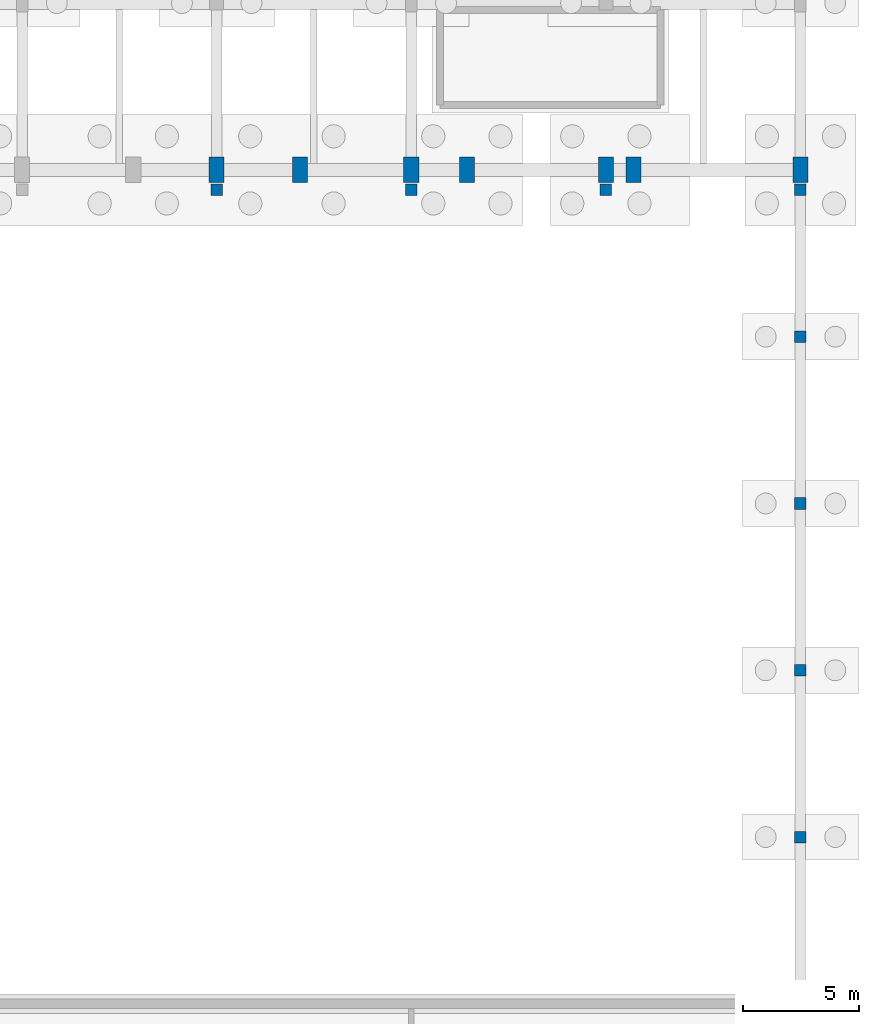
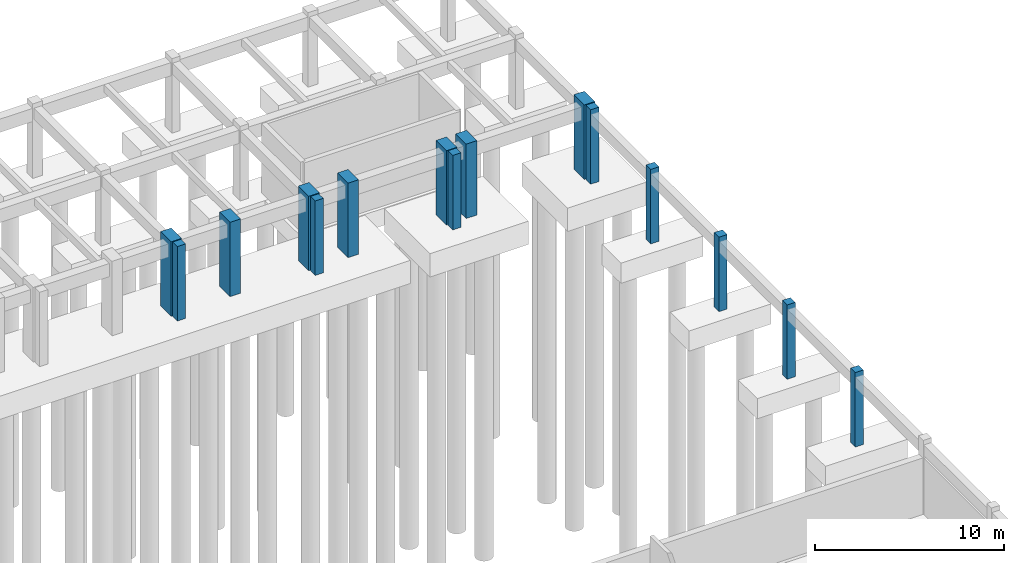
# One storey, part 46 of 80: 15 columns.
"""IFC4 building model written with IfcOpenShell, lengths in metres."""

from ifc_helpers import new_model, si_unit, direction, frame, origin, origin_2d, place, context, subcontext, project, spatial, rectangle, extrude, material, material_profile, profile_set, type_object, element, save


model = new_model("IFC4")

# Units and contexts
model_context = context("Model", 3, precision=1e-05, world=origin(), true_north=direction((0.0, 1.0)))
body_context = subcontext(model_context, "Body", "Model", "MODEL_VIEW")
ifc_project = project(units=[si_unit("LENGTHUNIT", "METRE"), si_unit("AREAUNIT", "SQUARE_METRE"), si_unit("VOLUMEUNIT", "CUBIC_METRE"), si_unit("PLANEANGLEUNIT", "RADIAN"), si_unit("MASSUNIT", "GRAM", prefix="KILO")], contexts=[model_context])

# Site, building, storey
site_placement = place(None, origin())
site = spatial("IfcSite", under=ifc_project, at=site_placement, CompositionType="ELEMENT")
building_placement = place(site_placement, origin())
building = spatial("IfcBuilding", under=site, at=building_placement, Name="Malvenik Polytechnic", CompositionType="ELEMENT")
storey_placement = place(building_placement, frame((0.0, 0.0, -4.800048828125)))
storey = spatial("IfcBuildingStorey", under=building, at=storey_placement, Name="B1", CompositionType="ELEMENT", Elevation=-4.800048828125)

# Columns
ifc_material = material(Name="Concrete C35/45", Category="concrete")
ifc_material_profile_1 = material_profile(ifc_material, rectangle(XDim=0.5, YDim=0.5, at=origin_2d()), Name="RC COL 500x500")
ifc_profile_set_1 = profile_set([ifc_material_profile_1], Name="Concrete C35/45")
column_type_1 = type_object("IfcColumnType", Name="STR-COL-C-08", PredefinedType="COLUMN", material=ifc_profile_set_1)
for number, where, z_axis, x_axis, name in (
    (1, (184.800048828125, 64.800048828125, 0.0), (0.0, 0.0, 1.0), (1.0, 0.0, 0.0), "Column C-08 B1 (184.8,64.8)"),
    (2, (184.800048828125, 72.0, 0.0), (0.0, 0.0, 1.0), (1.0, 0.0, 0.0), "Column C-08 B1 (184.8,72.0)"),
    (3, (184.800048828125, 79.199951171875, 0.0), (0.0, 0.0, 1.0), (1.0, 0.0, 0.0), "Column C-08 B1 (184.8,79.2)"),
    (4, (184.800048828125, 86.39990234375, 0.0), (0.0, 0.0, 1.0), (1.0, 0.0, 0.0), "Column C-08 B1 (184.8,86.4)"),
    (5, (159.60009765625, 92.75, 0.0), (0.0, 0.0, 1.0), (1.0, 0.0, 0.0), "Crane Pier Column B1 #2.4"),
    (6, (168.0, 92.75, 0.0), (0.0, 0.0, 1.0), (1.0, 0.0, 0.0), "Crane Pier Column B1 #2.5"),
    (7, (176.39990234375, 92.75, 0.0), (0.0, 0.0, 1.0), (1.0, 0.0, 0.0), "Crane Pier Column B1 #2.6"),
    (8, (184.800048828125, 92.75, 0.0), (0.0, 0.0, 1.0), (1.0, 0.0, 0.0), "Crane Pier Column B1 #2.7"),
):
    element("IfcColumn", number, at=place(storey_placement, frame(where, z_axis=z_axis, x_axis=x_axis)), inside=storey, type_object=column_type_1, Name=name, PredefinedType="COLUMN", context=body_context, shape_type="SweptSolid", body=[
        extrude(rectangle(XDim=0.5, YDim=0.5, at=origin_2d()), origin(), (0.0, 0.0, 1.0), 4.800048828125),
    ])
ifc_material_profile_2 = material_profile(ifc_material, rectangle(XDim=0.64990234375, YDim=1.10009765625, at=origin_2d()), Name="RC COL 1100x650")
ifc_profile_set_2 = profile_set([ifc_material_profile_2], Name="Concrete C35/45")
column_type_2 = type_object("IfcColumnType", Name="STR-COL-C-12", PredefinedType="COLUMN", material=ifc_profile_set_2)
for number, where, z_axis, x_axis, name in (
    (9, (159.60009765625, 93.60009765625, 0.0), (0.0, 0.0, 1.0), (1.0, 0.0, 0.0), "Column C-12 B1 (159.6,93.6)"),
    (10, (163.199951171875, 93.60009765625, 0.0), (0.0, 0.0, 1.0), (1.0, 0.0, 0.0), "Column C-12 B1 (163.2,93.6)"),
    (11, (168.0, 93.60009765625, 0.0), (0.0, 0.0, 1.0), (1.0, 0.0, 0.0), "Column C-12 B1 (168.0,93.6)"),
    (12, (170.39990234375, 93.60009765625, 0.0), (0.0, 0.0, 1.0), (1.0, 0.0, 0.0), "Column C-12 B1 (170.4,93.6)"),
    (13, (176.39990234375, 93.60009765625, 0.0), (0.0, 0.0, 1.0), (1.0, 0.0, 0.0), "Column C-12 B1 (176.4,93.6)"),
    (14, (177.60009765625, 93.60009765625, 0.0), (0.0, 0.0, 1.0), (1.0, 0.0, 0.0), "Column C-12 B1 (177.6,93.6)"),
    (15, (184.800048828125, 93.60009765625, 0.0), (0.0, 0.0, 1.0), (1.0, 0.0, 0.0), "Column C-12 B1 (184.8,93.6)"),
):
    element("IfcColumn", number, at=place(storey_placement, frame(where, z_axis=z_axis, x_axis=x_axis)), inside=storey, type_object=column_type_2, Name=name, PredefinedType="COLUMN", context=body_context, shape_type="SweptSolid", body=[
        extrude(rectangle(XDim=0.64990234375, YDim=1.10009765625, at=origin_2d()), origin(), (0.0, 0.0, 1.0), 4.800048828125),
    ])

save(model, "model.ifc")
